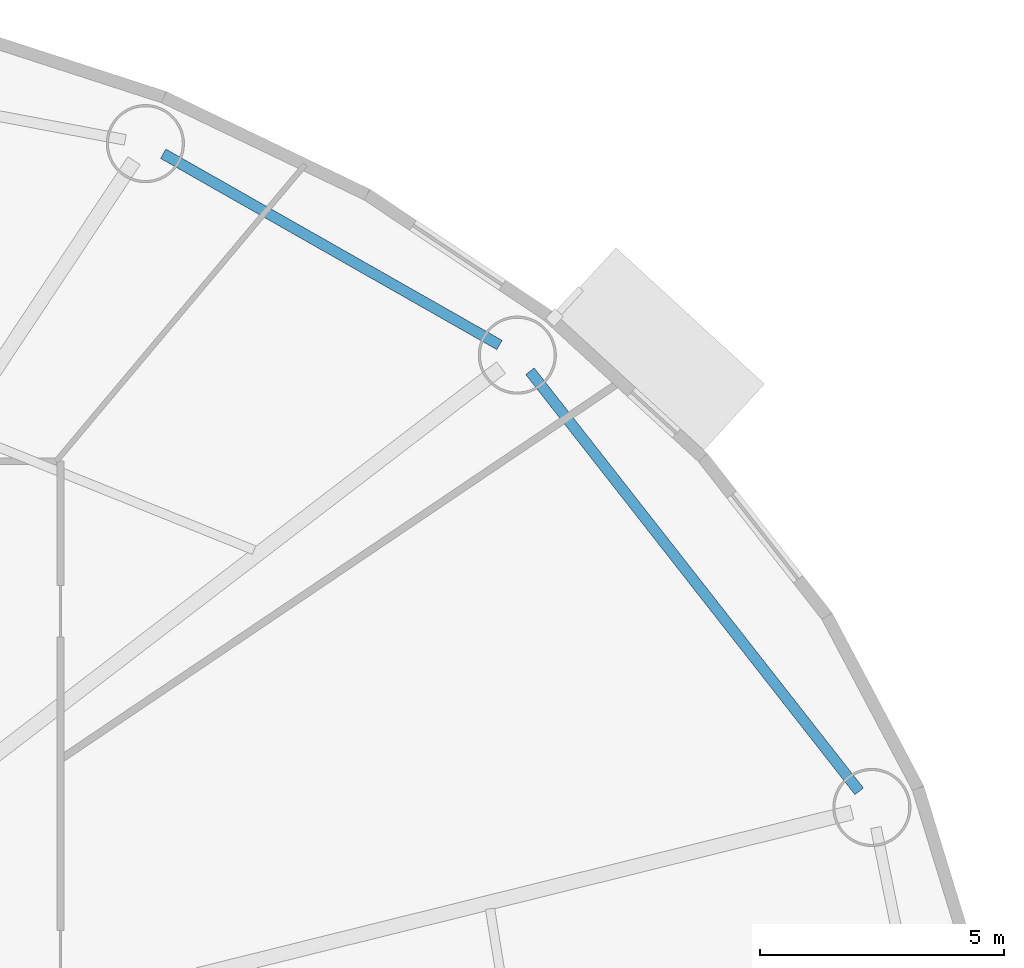
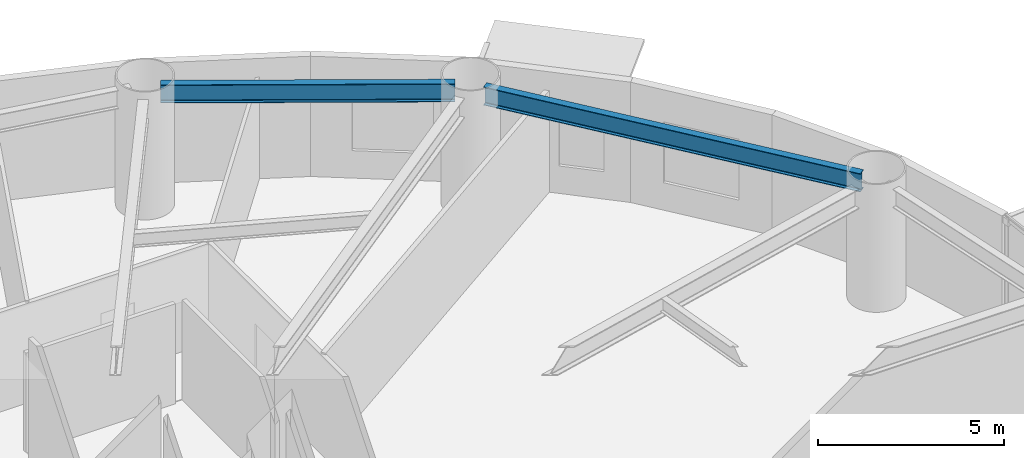
# One storey, part 13 of 28: 2 beams.
"""IFC4 building model written with IfcOpenShell, lengths in metres."""

from ifc_helpers import new_model, si_unit, direction, frame, origin, origin_2d, place, context, subcontext, project, spatial, i_section, extrude, material, material_profile, profile_set, type_object, element, save


model = new_model("IFC4")

# Units and contexts
model_context = context("Model", 3, precision=1e-05, world=origin(), true_north=direction((0.0, 1.0)))
body_context = subcontext(model_context, "Body", "Model", "MODEL_VIEW")
ifc_project = project(units=[si_unit("LENGTHUNIT", "METRE"), si_unit("AREAUNIT", "SQUARE_METRE"), si_unit("VOLUMEUNIT", "CUBIC_METRE"), si_unit("PLANEANGLEUNIT", "RADIAN"), si_unit("MASSUNIT", "GRAM", prefix="KILO")], contexts=[model_context])

# Site, building, storey
site_placement = place(None, origin())
site = spatial("IfcSite", under=ifc_project, at=site_placement, CompositionType="ELEMENT")
building_placement = place(site_placement, origin())
building = spatial("IfcBuilding", under=site, at=building_placement, Name="Linh Dai School and Residence Tower", CompositionType="ELEMENT")
storey_placement = place(building_placement, frame((0.0, 0.0, 57.60009765625)))
storey = spatial("IfcBuildingStorey", under=building, at=storey_placement, Name="L13", CompositionType="ELEMENT", Elevation=57.60009765625)

# Beams
ifc_material = material(Name="Structural Steel S355JR", Category="steel")
ifc_material_profile = material_profile(ifc_material, i_section(OverallWidth=0.219970703125, OverallDepth=0.60009765625, WebThickness=0.011962890625, FlangeThickness=0.01904296875, FilletRadius=0.02392578125, at=origin_2d()), Name="IPE 600")
ifc_profile_set = profile_set([ifc_material_profile], Name="Structural Steel S355JR")
beam_type = type_object("IfcBeamType", Name="BM-RB60", PredefinedType="BEAM", material=ifc_profile_set)
beam_1_placement = place(storey_placement, frame((64.351806640625, 34.439208984375, 3.64990234375), z_axis=(-0.616878670407, 0.787058260866, 0.0), x_axis=(-0.787058260866, -0.616878670407, 0.0)))
element("IfcBeam", 1, at=beam_1_placement, inside=storey, type_object=beam_type, Name="L13 Perimeter Elliptical Ring Beam 02", PredefinedType="BEAM", context=body_context, shape_type="SweptSolid", body=[
    extrude(i_section(OverallWidth=0.219970703125, OverallDepth=0.60009765625, WebThickness=0.011962890625, FlangeThickness=0.01904296875, FilletRadius=0.02392578125, at=origin_2d()), origin(), (0.0, 0.0, 1.0), 10.926025390625),
])
beam_2_placement = place(storey_placement, frame((56.987548828125, 43.57666015625, 3.64990234375), z_axis=(-0.869271416992, 0.494335112653, 0.0), x_axis=(-0.494335112653, -0.869271416992, 0.0)))
element("IfcBeam", 2, at=beam_2_placement, inside=storey, type_object=beam_type, Name="L13 Perimeter Elliptical Ring Beam 03", PredefinedType="BEAM", context=body_context, shape_type="SweptSolid", body=[
    extrude(i_section(OverallWidth=0.219970703125, OverallDepth=0.60009765625, WebThickness=0.011962890625, FlangeThickness=0.01904296875, FilletRadius=0.02392578125, at=origin_2d()), origin(), (0.0, 0.0, 1.0), 7.91943359375),
])

save(model, "model.ifc")
